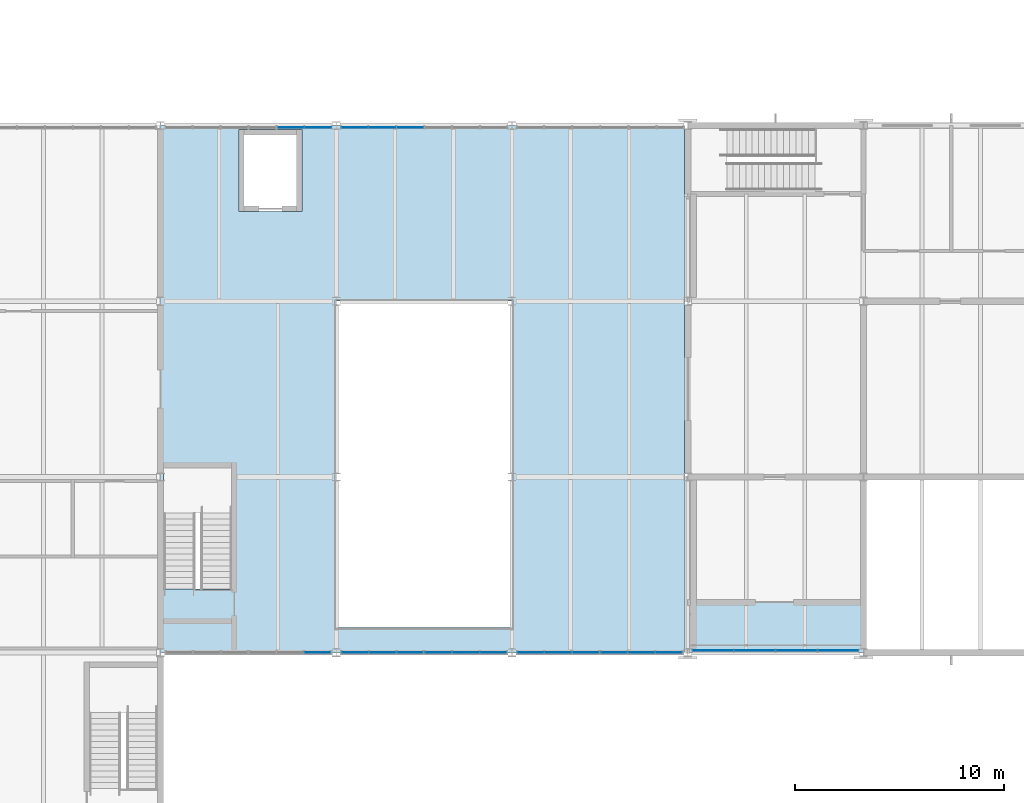
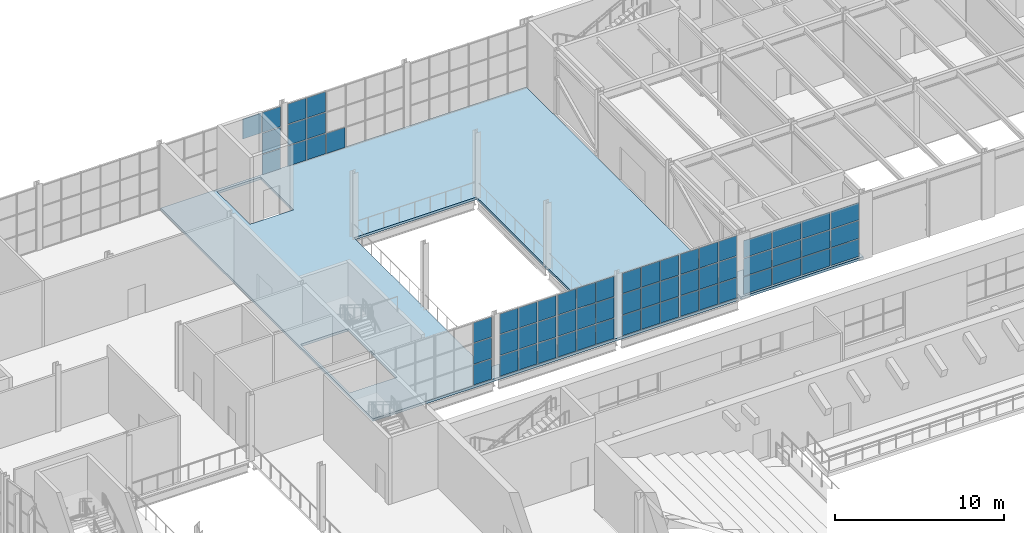
# One storey, part 62 of 127: 62 plates, 2 slabs, 8 elements without a shape of their own.
"""IFC4 building model written with IfcOpenShell, lengths in metres."""

import ifcopenshell
import ifcopenshell.guid

model = None  # the IFC model being written
_history = None  # IfcOwnerHistory: only IFC2X3 demands one
_inside = {}  # id of a spatial element -> (the spatial element, [elements in it])
_under = {}  # id of a project, library or spatial element -> (it, [spatial elements below it])
_declared = {}  # id of a project -> (the project, [libraries it declares])
_typed = {}  # id of a type object -> (the type object, [elements of that type])
_made_of = {}  # id of a material, layer set ... -> (it, [elements and type objects made of it])


def new_model(schema):
    """Start an empty IFC model of exactly this schema.

    Asked for "IFC4X3", IfcOpenShell would pick the latest addendum, in which some entities
    have other attributes; the version numbers below select the first issue.
    IFC2X3 requires an IfcOwnerHistory on every rooted entity: one is made here for all.
    """
    global model, _history
    if schema == "IFC4X3":
        model = ifcopenshell.file(schema_version=(4, 3, 0, 0))
    else:
        model = ifcopenshell.file(schema=schema)
    _inside.clear()
    _under.clear()
    _declared.clear()
    _typed.clear()
    _made_of.clear()
    _history = None
    if model.schema == "IFC2X3":
        org = make("IfcOrganization", Name="unknown")
        user = make(
            "IfcPersonAndOrganization",
            ThePerson=make("IfcPerson", FamilyName="unknown"),
            TheOrganization=org,
        )
        app = make(
            "IfcApplication",
            ApplicationDeveloper=org,
            Version="unknown",
            ApplicationFullName="unknown",
            ApplicationIdentifier="unknown",
        )
        _history = make(
            "IfcOwnerHistory",
            OwningUser=user,
            OwningApplication=app,
            ChangeAction="ADDED",
            CreationDate=0,
        )
    return model


def make(cls, **values):
    """One entity of the class cls with the attributes given. An attribute that is None is left unset."""
    return model.create_entity(
        cls, **{name: value for name, value in values.items() if value is not None}
    )


def rooted(cls, **values):
    """An entity with a GlobalId (a new one), such as an element, a storey or a relation."""
    return make(cls, GlobalId=ifcopenshell.guid.new(), OwnerHistory=_history, **values)


def si_unit(unit_type, name, prefix=None):
    """IfcSIUnit, for example si_unit("LENGTHUNIT", "METRE", prefix="MILLI")."""
    return make("IfcSIUnit", UnitType=unit_type, Prefix=prefix, Name=name)


def assignment(units):
    """IfcUnitAssignment: the units of a project."""
    return None if units is None else make("IfcUnitAssignment", Units=units)


def point(xyz):
    """IfcCartesianPoint."""
    return None if xyz is None else make("IfcCartesianPoint", Coordinates=xyz)


def direction(xyz):
    """IfcDirection."""
    return None if xyz is None else make("IfcDirection", DirectionRatios=xyz)


def frame(location, z_axis=None, x_axis=None):
    """IfcAxis2Placement3D, a coordinate frame: its origin and axes. An axis left out is left unset."""
    return make(
        "IfcAxis2Placement3D",
        Location=point(location),
        Axis=direction(z_axis),
        RefDirection=direction(x_axis),
    )


def frame_2d(location, x_axis=None):
    """IfcAxis2Placement2D, a coordinate frame in the plane: its origin and x axis."""
    return make(
        "IfcAxis2Placement2D", Location=point(location), RefDirection=direction(x_axis)
    )


def origin():
    """The frame at (0, 0, 0) with its axes left unset."""
    return frame((0.0, 0.0, 0.0))


def origin_2d():
    """The frame at (0, 0) in the plane with its x axis left unset."""
    return frame_2d((0.0, 0.0))


def place(relative_to, where):
    """IfcLocalPlacement: puts the frame where relative to a parent placement (None: the world)."""
    return make(
        "IfcLocalPlacement", PlacementRelTo=relative_to, RelativePlacement=where
    )


def context(
    kind, dimensions, precision=None, world=None, true_north=None, identifier=None
):
    """IfcGeometricRepresentationContext, for example the 3D "Model" context."""
    return make(
        "IfcGeometricRepresentationContext",
        ContextIdentifier=identifier,
        ContextType=kind,
        CoordinateSpaceDimension=dimensions,
        Precision=precision,
        WorldCoordinateSystem=world,
        TrueNorth=true_north,
    )


def subcontext(parent, identifier, kind, view, scale=None):
    """IfcGeometricRepresentationSubContext, for example "Body" below "Model"."""
    return make(
        "IfcGeometricRepresentationSubContext",
        ContextIdentifier=identifier,
        ContextType=kind,
        ParentContext=parent,
        TargetScale=scale,
        TargetView=view,
    )


def project(units=None, contexts=None):
    """IfcProject with its units and contexts."""
    return rooted(
        "IfcProject",
        Name="project",
        RepresentationContexts=contexts,
        UnitsInContext=assignment(units),
    )


def spatial(cls, under=None, at=None, **own):
    """A site, building, storey or space (cls), placed at a placement, below another one or the project."""
    s = rooted(cls, ObjectPlacement=at, **own)
    if under is not None:
        _under.setdefault(under.id(), (under, []))[1].append(s)
    return s


def polyline(points):
    """IfcPolyline through the points."""
    return make("IfcPolyline", Points=[point(p) for p in points])


def profile(cls, at=None, kind="AREA", **sizes):
    """A parametric profile (cls). Its sizes go by their IFC names, for example OverallWidth=200.0."""
    return make(cls, ProfileType=kind, Position=at, **sizes)


def rectangle(**sizes):
    """IfcRectangleProfileDef."""
    return profile("IfcRectangleProfileDef", **sizes)


def outline(outer, holes=None, kind="AREA"):
    """IfcArbitraryClosedProfileDef: a profile drawn as a closed curve; with holes, ...WithVoids."""
    if holes is None:
        return make("IfcArbitraryClosedProfileDef", ProfileType=kind, OuterCurve=outer)
    return make(
        "IfcArbitraryProfileDefWithVoids",
        ProfileType=kind,
        OuterCurve=outer,
        InnerCurves=holes,
    )


def extrude(swept, where, along, depth):
    """IfcExtrudedAreaSolid: the profile swept, set in the frame where, extruded along a direction by depth."""
    return make(
        "IfcExtrudedAreaSolid",
        SweptArea=swept,
        Position=where,
        ExtrudedDirection=direction(along),
        Depth=depth,
    )


def shape(context_of_items, identifier, shape_type, items):
    """IfcShapeRepresentation: the items that make up one representation, for example the "Body"."""
    return make(
        "IfcShapeRepresentation",
        ContextOfItems=context_of_items,
        RepresentationIdentifier=identifier,
        RepresentationType=shape_type,
        Items=items,
    )


def material(Name=None, Category=None):
    """IfcMaterial."""
    return make("IfcMaterial", Name=Name, Category=Category)


def layer(
    of_material, thickness, ventilated=None, Name=None, Category=None, Priority=None
):
    """IfcMaterialLayer: one layer of a wall or slab, of a material (None: an air gap)."""
    return make(
        "IfcMaterialLayer",
        Material=of_material,
        LayerThickness=thickness,
        IsVentilated=ventilated,
        Name=Name,
        Category=Category,
        Priority=Priority,
    )


def layer_set(layers, Name=None):
    """IfcMaterialLayerSet."""
    return make("IfcMaterialLayerSet", MaterialLayers=layers, LayerSetName=Name)


def made_of(thing, what):
    """Note that an element or type object is made of a material, layer set ...; save() writes the relation."""
    if what is not None:
        _made_of.setdefault(what.id(), (what, []))[1].append(thing)
    return thing


def type_object(cls, material=None, **own):
    """A type object (cls), such as IfcWallType, which elements share."""
    return made_of(rooted(cls, **own), material)


def element(
    cls,
    number,
    at=None,
    inside=None,
    cuts=None,
    type_object=None,
    material=None,
    context=None,
    identifier="Body",
    shape_type=None,
    held_by="IfcProductDefinitionShape",
    body=None,
    shapes=None,
    **own,
):
    """One element of the class cls, such as IfcWall. Its Tag is "e" and its number.

    at: its placement. inside: the storey or other place that contains it. cuts: it is an
    opening in that element (IfcRelVoidsElement). A single representation is given by context,
    identifier, shape_type and body (its items); several are given by shapes. held_by: the class
    of the entity that holds the representations. save() writes the other relations.
    """
    e = rooted(cls, Tag="e%d" % number, ObjectPlacement=at, **own)
    if body is not None:
        shapes = [shape(context, identifier, shape_type, body)]
    if shapes is not None:
        e.Representation = make(held_by, Representations=shapes)
    if inside is not None:
        _inside.setdefault(inside.id(), (inside, []))[1].append(e)
    if cuts is not None:
        rooted(
            "IfcRelVoidsElement", RelatingBuildingElement=cuts, RelatedOpeningElement=e
        )
    if type_object is not None:
        _typed.setdefault(type_object.id(), (type_object, []))[1].append(e)
    return made_of(e, material)


def aggregate(whole, parts):
    """IfcRelAggregates: a whole, such as a stair, and the parts it consists of."""
    return rooted("IfcRelAggregates", RelatingObject=whole, RelatedObjects=parts)


def save(model, path):
    """Write the relations noted so far, then the file.

    IfcRelAggregates (storeys below a building ...), IfcRelContainedInSpatialStructure (elements
    in a storey), IfcRelDefinesByType, IfcRelAssociatesMaterial and IfcRelDeclares: one each for
    every whole, place, type object, material and project.
    """
    for whole, parts in _under.values():
        aggregate(whole, parts)
    for where, things in _inside.values():
        rooted(
            "IfcRelContainedInSpatialStructure",
            RelatedElements=things,
            RelatingStructure=where,
        )
    for kind, things in _typed.values():
        rooted("IfcRelDefinesByType", RelatedObjects=things, RelatingType=kind)
    for what, things in _made_of.values():
        rooted("IfcRelAssociatesMaterial", RelatedObjects=things, RelatingMaterial=what)
    for by, libraries in _declared.values():
        rooted("IfcRelDeclares", RelatingContext=by, RelatedDefinitions=libraries)
    model.write(path)


model = new_model("IFC4")

# Units and contexts
model_context = context("Model", 3, precision=1e-05, world=origin(), true_north=direction((0.0, 1.0)))
body_context = subcontext(model_context, "Body", "Model", "MODEL_VIEW")
ifc_project = project(units=[si_unit("LENGTHUNIT", "METRE"), si_unit("AREAUNIT", "SQUARE_METRE"), si_unit("VOLUMEUNIT", "CUBIC_METRE"), si_unit("PLANEANGLEUNIT", "RADIAN"), si_unit("MASSUNIT", "GRAM", prefix="KILO")], contexts=[model_context])

# Site, building, storey
site_placement = place(None, origin())
site = spatial("IfcSite", under=ifc_project, at=site_placement, CompositionType="ELEMENT")
building_placement = place(site_placement, origin())
building = spatial("IfcBuilding", under=site, at=building_placement, Name="Ljudholm Concert House", CompositionType="ELEMENT")
storey_placement = place(building_placement, frame((0.0, 0.0, 5.39990234375)))
storey = spatial("IfcBuildingStorey", under=building, at=storey_placement, Name="L01", CompositionType="ELEMENT", Elevation=5.39990234375)

# Slabs
ifc_material_1 = material(Name="Concrete 5,000 psi", Category="concrete")
ifc_layer_1 = layer(ifc_material_1, 0.179931640625)
ifc_layer_set_1 = layer_set([ifc_layer_1], Name="Concrete 5,000 psi")
slab_type_1 = type_object("IfcSlabType", Name="COMPOSITE FLOOR SLAB 180", PredefinedType="FLOOR", material=ifc_layer_set_1)
slab_1_placement = place(storey_placement, frame((0.0, 0.0, -0.179931640625)))
element("IfcSlab", 1, at=slab_1_placement, inside=storey, type_object=slab_type_1, Name="Floor slab", PredefinedType="FLOOR", context=body_context, shape_type="SweptSolid", body=[
    extrude(outline(polyline([(29.199951171875, 104.800048828125), (54.25, 104.800048828125), (54.25, 130.0), (29.199951171875, 130.0), (29.199951171875, 104.800048828125)]), holes=[polyline([(46.0, 121.60009765625), (46.0, 106.0), (37.60009765625, 106.0), (37.60009765625, 121.60009765625), (46.0, 121.60009765625)]), polyline([(29.35009765625, 107.83056640625), (29.35009765625, 113.6298828125), (32.60009765625, 113.6298828125), (32.60009765625, 107.83056640625), (29.35009765625, 107.83056640625)]), polyline([(32.949951171875, 125.89990234375), (32.949951171875, 129.800048828125), (35.949951171875, 129.800048828125), (35.949951171875, 125.89990234375), (32.949951171875, 125.89990234375)])]), origin(), (0.0, 0.0, 1.0), 0.179931640625),
])
ifc_material_2 = material(Name="Concrete 5,000 psi", Category="concrete")
ifc_layer_2 = layer(ifc_material_2, 0.179931640625)
ifc_layer_set_2 = layer_set([ifc_layer_2], Name="Concrete 5,000 psi")
slab_type_2 = type_object("IfcSlabType", Name="COMPOSITE FLOOR SLAB 180 EXTERNAL", PredefinedType="FLOOR", material=ifc_layer_set_2)
slab_2_placement = place(storey_placement, frame((0.0, 0.0, -0.179931640625)))
element("IfcSlab", 2, at=slab_2_placement, inside=storey, type_object=slab_type_2, Name="Loggia floor slab", PredefinedType="FLOOR", context=body_context, shape_type="SweptSolid", body=[
    extrude(outline(polyline([(54.39990234375, 104.800048828125), (62.800048828125, 104.800048828125), (62.800048828125, 107.199951171875), (54.39990234375, 107.199951171875), (54.39990234375, 104.800048828125)])), origin(), (0.0, 0.0, 1.0), 0.179931640625),
])

# Curtain wall, plates
ifc_material_3 = material(Name="Aluminium curtain wall with impact-rated laminated glass", Category="aluminium")
curtain_wall_type_1 = type_object("IfcCurtainWallType", Name="CURTAIN WALL 1400", PredefinedType="NOTDEFINED", material=ifc_material_3)
curtain_wall_1_placement = place(storey_placement, origin())
curtain_wall_1 = element("IfcCurtainWall", 3, at=curtain_wall_1_placement, inside=storey, type_object=curtain_wall_type_1, Name="North curtain wall", PredefinedType="NOTDEFINED")
ifc_material_4 = material(Name="Impact-rated laminated glass", Category="glass")
ifc_layer_3 = layer(ifc_material_4, 0.028076171875)
ifc_layer_set_3 = layer_set([ifc_layer_3], Name="Impact-rated laminated glass")
plate_type_1 = type_object("IfcPlateType", Name="CURTAIN PANEL 28", PredefinedType="CURTAIN_PANEL", material=ifc_layer_set_3)
plate_1_placement = place(storey_placement, frame((35.405029296875, 129.89990234375, 3.1103515625), z_axis=(0.0, 0.0, 1.0), x_axis=(1.0, 0.0, 0.0)))
plate_1 = element("IfcPlate", 4, at=plate_1_placement, type_object=plate_type_1, Name="Curtain wall panel", PredefinedType="CURTAIN_PANEL", context=body_context, shape_type="SweptSolid", body=[
    extrude(rectangle(XDim=1.276611328125, YDim=0.028076171875, at=origin_2d()), origin(), (0.0, 0.0, 1.0), 1.449951171875),
])
plate_2_placement = place(storey_placement, frame((36.7265625, 129.89990234375, 0.06005859375), z_axis=(0.0, 0.0, 1.0), x_axis=(1.0, 0.0, 0.0)))
plate_2 = element("IfcPlate", 5, at=plate_2_placement, type_object=plate_type_1, Name="Curtain wall panel", PredefinedType="CURTAIN_PANEL", context=body_context, shape_type="SweptSolid", body=[
    extrude(rectangle(XDim=1.24658203125, YDim=0.028076171875, at=origin_2d()), origin(), (0.0, 0.0, 1.0), 1.449951171875),
])
plate_3_placement = place(storey_placement, frame((36.7265625, 129.89990234375, 1.570068359375), z_axis=(0.0, 0.0, 1.0), x_axis=(1.0, 0.0, 0.0)))
plate_3 = element("IfcPlate", 6, at=plate_3_placement, type_object=plate_type_1, Name="Curtain wall panel", PredefinedType="CURTAIN_PANEL", context=body_context, shape_type="SweptSolid", body=[
    extrude(rectangle(XDim=1.24658203125, YDim=0.028076171875, at=origin_2d()), origin(), (0.0, 0.0, 1.0), 1.47998046875),
])
plate_4_placement = place(storey_placement, frame((36.7265625, 129.89990234375, 3.1103515625), z_axis=(0.0, 0.0, 1.0), x_axis=(1.0, 0.0, 0.0)))
plate_4 = element("IfcPlate", 7, at=plate_4_placement, type_object=plate_type_1, Name="Curtain wall panel", PredefinedType="CURTAIN_PANEL", context=body_context, shape_type="SweptSolid", body=[
    extrude(rectangle(XDim=1.24658203125, YDim=0.028076171875, at=origin_2d()), origin(), (0.0, 0.0, 1.0), 1.449951171875),
])
aggregate(curtain_wall_1, [plate_1, plate_2, plate_3, plate_4])

curtain_wall_2_placement = place(storey_placement, origin())
curtain_wall_2 = element("IfcCurtainWall", 8, at=curtain_wall_2_placement, inside=storey, type_object=curtain_wall_type_1, Name="North curtain wall", PredefinedType="NOTDEFINED")
plate_5_placement = place(storey_placement, frame((38.473388671875, 129.89990234375, 0.06005859375), z_axis=(0.0, 0.0, 1.0), x_axis=(1.0, 0.0, 0.0)))
plate_5 = element("IfcPlate", 9, at=plate_5_placement, type_object=plate_type_1, Name="Curtain wall panel", PredefinedType="CURTAIN_PANEL", context=body_context, shape_type="SweptSolid", body=[
    extrude(rectangle(XDim=1.24658203125, YDim=0.028076171875, at=origin_2d()), origin(), (0.0, 0.0, 1.0), 1.449951171875),
])
plate_6_placement = place(storey_placement, frame((38.473388671875, 129.89990234375, 1.570068359375), z_axis=(0.0, 0.0, 1.0), x_axis=(1.0, 0.0, 0.0)))
plate_6 = element("IfcPlate", 10, at=plate_6_placement, type_object=plate_type_1, Name="Curtain wall panel", PredefinedType="CURTAIN_PANEL", context=body_context, shape_type="SweptSolid", body=[
    extrude(rectangle(XDim=1.24658203125, YDim=0.028076171875, at=origin_2d()), origin(), (0.0, 0.0, 1.0), 1.47998046875),
])
plate_7_placement = place(storey_placement, frame((38.473388671875, 129.89990234375, 3.1103515625), z_axis=(0.0, 0.0, 1.0), x_axis=(1.0, 0.0, 0.0)))
plate_7 = element("IfcPlate", 11, at=plate_7_placement, type_object=plate_type_1, Name="Curtain wall panel", PredefinedType="CURTAIN_PANEL", context=body_context, shape_type="SweptSolid", body=[
    extrude(rectangle(XDim=1.24658203125, YDim=0.028076171875, at=origin_2d()), origin(), (0.0, 0.0, 1.0), 1.449951171875),
])
plate_8_placement = place(storey_placement, frame((39.794921875, 129.89990234375, 0.06005859375), z_axis=(0.0, 0.0, 1.0), x_axis=(1.0, 0.0, 0.0)))
plate_8 = element("IfcPlate", 12, at=plate_8_placement, type_object=plate_type_1, Name="Curtain wall panel", PredefinedType="CURTAIN_PANEL", context=body_context, shape_type="SweptSolid", body=[
    extrude(rectangle(XDim=1.276611328125, YDim=0.028076171875, at=origin_2d()), origin(), (0.0, 0.0, 1.0), 1.449951171875),
])
plate_9_placement = place(storey_placement, frame((39.794921875, 129.89990234375, 1.570068359375), z_axis=(0.0, 0.0, 1.0), x_axis=(1.0, 0.0, 0.0)))
plate_9 = element("IfcPlate", 13, at=plate_9_placement, type_object=plate_type_1, Name="Curtain wall panel", PredefinedType="CURTAIN_PANEL", context=body_context, shape_type="SweptSolid", body=[
    extrude(rectangle(XDim=1.276611328125, YDim=0.028076171875, at=origin_2d()), origin(), (0.0, 0.0, 1.0), 1.47998046875),
])
plate_10_placement = place(storey_placement, frame((39.794921875, 129.89990234375, 3.1103515625), z_axis=(0.0, 0.0, 1.0), x_axis=(1.0, 0.0, 0.0)))
plate_10 = element("IfcPlate", 14, at=plate_10_placement, type_object=plate_type_1, Name="Curtain wall panel", PredefinedType="CURTAIN_PANEL", context=body_context, shape_type="SweptSolid", body=[
    extrude(rectangle(XDim=1.276611328125, YDim=0.028076171875, at=origin_2d()), origin(), (0.0, 0.0, 1.0), 1.449951171875),
])
plate_11_placement = place(storey_placement, frame((41.131591796875, 129.89990234375, 0.06005859375), z_axis=(0.0, 0.0, 1.0), x_axis=(1.0, 0.0, 0.0)))
plate_11 = element("IfcPlate", 15, at=plate_11_placement, type_object=plate_type_1, Name="Curtain wall panel", PredefinedType="CURTAIN_PANEL", context=body_context, shape_type="SweptSolid", body=[
    extrude(rectangle(XDim=1.276611328125, YDim=0.028076171875, at=origin_2d()), origin(), (0.0, 0.0, 1.0), 1.449951171875),
])
aggregate(curtain_wall_2, [plate_5, plate_6, plate_7, plate_8, plate_9, plate_10, plate_11])

curtain_wall_3_placement = place(storey_placement, origin())
curtain_wall_3 = element("IfcCurtainWall", 16, at=curtain_wall_3_placement, inside=storey, type_object=curtain_wall_type_1, Name="Winter garden curtain wall", PredefinedType="NOTDEFINED")
plate_12_placement = place(storey_placement, frame((36.70166015625, 104.800048828125, 0.06005859375), z_axis=(0.0, 0.0, 1.0), x_axis=(1.0, 0.0, 0.0)))
plate_12 = element("IfcPlate", 17, at=plate_12_placement, type_object=plate_type_1, Name="Curtain wall panel", PredefinedType="CURTAIN_PANEL", context=body_context, shape_type="SweptSolid", body=[
    extrude(rectangle(XDim=1.236572265625, YDim=0.028076171875, at=origin_2d()), origin(), (0.0, 0.0, 1.0), 1.449951171875),
])
plate_13_placement = place(storey_placement, frame((36.70166015625, 104.800048828125, 1.570068359375), z_axis=(0.0, 0.0, 1.0), x_axis=(1.0, 0.0, 0.0)))
plate_13 = element("IfcPlate", 18, at=plate_13_placement, type_object=plate_type_1, Name="Curtain wall panel", PredefinedType="CURTAIN_PANEL", context=body_context, shape_type="SweptSolid", body=[
    extrude(rectangle(XDim=1.236572265625, YDim=0.028076171875, at=origin_2d()), origin(), (0.0, 0.0, 1.0), 1.47998046875),
])
plate_14_placement = place(storey_placement, frame((36.70166015625, 104.800048828125, 3.1103515625), z_axis=(0.0, 0.0, 1.0), x_axis=(1.0, 0.0, 0.0)))
plate_14 = element("IfcPlate", 19, at=plate_14_placement, type_object=plate_type_1, Name="Curtain wall panel", PredefinedType="CURTAIN_PANEL", context=body_context, shape_type="SweptSolid", body=[
    extrude(rectangle(XDim=1.236572265625, YDim=0.028076171875, at=origin_2d()), origin(), (0.0, 0.0, 1.0), 1.449951171875),
])
aggregate(curtain_wall_3, [plate_12, plate_13, plate_14])

curtain_wall_4_placement = place(storey_placement, origin())
curtain_wall_4 = element("IfcCurtainWall", 20, at=curtain_wall_4_placement, inside=storey, type_object=curtain_wall_type_1, Name="Winter garden curtain wall", PredefinedType="NOTDEFINED")
plate_15_placement = place(storey_placement, frame((38.498291015625, 104.800048828125, 0.06005859375), z_axis=(0.0, 0.0, 1.0), x_axis=(1.0, 0.0, 0.0)))
plate_15 = element("IfcPlate", 21, at=plate_15_placement, type_object=plate_type_1, Name="Curtain wall panel", PredefinedType="CURTAIN_PANEL", context=body_context, shape_type="SweptSolid", body=[
    extrude(rectangle(XDim=1.236572265625, YDim=0.028076171875, at=origin_2d()), origin(), (0.0, 0.0, 1.0), 1.449951171875),
])
plate_16_placement = place(storey_placement, frame((38.498291015625, 104.800048828125, 1.570068359375), z_axis=(0.0, 0.0, 1.0), x_axis=(1.0, 0.0, 0.0)))
plate_16 = element("IfcPlate", 22, at=plate_16_placement, type_object=plate_type_1, Name="Curtain wall panel", PredefinedType="CURTAIN_PANEL", context=body_context, shape_type="SweptSolid", body=[
    extrude(rectangle(XDim=1.236572265625, YDim=0.028076171875, at=origin_2d()), origin(), (0.0, 0.0, 1.0), 1.47998046875),
])
plate_17_placement = place(storey_placement, frame((38.498291015625, 104.800048828125, 3.1103515625), z_axis=(0.0, 0.0, 1.0), x_axis=(1.0, 0.0, 0.0)))
plate_17 = element("IfcPlate", 23, at=plate_17_placement, type_object=plate_type_1, Name="Curtain wall panel", PredefinedType="CURTAIN_PANEL", context=body_context, shape_type="SweptSolid", body=[
    extrude(rectangle(XDim=1.236572265625, YDim=0.028076171875, at=origin_2d()), origin(), (0.0, 0.0, 1.0), 1.449951171875),
])
plate_18_placement = place(storey_placement, frame((39.81005859375, 104.800048828125, 0.06005859375), z_axis=(0.0, 0.0, 1.0), x_axis=(1.0, 0.0, 0.0)))
plate_18 = element("IfcPlate", 24, at=plate_18_placement, type_object=plate_type_1, Name="Curtain wall panel", PredefinedType="CURTAIN_PANEL", context=body_context, shape_type="SweptSolid", body=[
    extrude(rectangle(XDim=1.2666015625, YDim=0.028076171875, at=origin_2d()), origin(), (0.0, 0.0, 1.0), 1.449951171875),
])
plate_19_placement = place(storey_placement, frame((39.81005859375, 104.800048828125, 1.570068359375), z_axis=(0.0, 0.0, 1.0), x_axis=(1.0, 0.0, 0.0)))
plate_19 = element("IfcPlate", 25, at=plate_19_placement, type_object=plate_type_1, Name="Curtain wall panel", PredefinedType="CURTAIN_PANEL", context=body_context, shape_type="SweptSolid", body=[
    extrude(rectangle(XDim=1.2666015625, YDim=0.028076171875, at=origin_2d()), origin(), (0.0, 0.0, 1.0), 1.47998046875),
])
plate_20_placement = place(storey_placement, frame((39.81005859375, 104.800048828125, 3.1103515625), z_axis=(0.0, 0.0, 1.0), x_axis=(1.0, 0.0, 0.0)))
plate_20 = element("IfcPlate", 26, at=plate_20_placement, type_object=plate_type_1, Name="Curtain wall panel", PredefinedType="CURTAIN_PANEL", context=body_context, shape_type="SweptSolid", body=[
    extrude(rectangle(XDim=1.2666015625, YDim=0.028076171875, at=origin_2d()), origin(), (0.0, 0.0, 1.0), 1.449951171875),
])
plate_21_placement = place(storey_placement, frame((41.12158203125, 104.800048828125, 0.06005859375), z_axis=(0.0, 0.0, 1.0), x_axis=(1.0, 0.0, 0.0)))
plate_21 = element("IfcPlate", 27, at=plate_21_placement, type_object=plate_type_1, Name="Curtain wall panel", PredefinedType="CURTAIN_PANEL", context=body_context, shape_type="SweptSolid", body=[
    extrude(rectangle(XDim=1.236572265625, YDim=0.028076171875, at=origin_2d()), origin(), (0.0, 0.0, 1.0), 1.449951171875),
])
plate_22_placement = place(storey_placement, frame((41.12158203125, 104.800048828125, 1.570068359375), z_axis=(0.0, 0.0, 1.0), x_axis=(1.0, 0.0, 0.0)))
plate_22 = element("IfcPlate", 28, at=plate_22_placement, type_object=plate_type_1, Name="Curtain wall panel", PredefinedType="CURTAIN_PANEL", context=body_context, shape_type="SweptSolid", body=[
    extrude(rectangle(XDim=1.236572265625, YDim=0.028076171875, at=origin_2d()), origin(), (0.0, 0.0, 1.0), 1.47998046875),
])
plate_23_placement = place(storey_placement, frame((41.12158203125, 104.800048828125, 3.1103515625), z_axis=(0.0, 0.0, 1.0), x_axis=(1.0, 0.0, 0.0)))
plate_23 = element("IfcPlate", 29, at=plate_23_placement, type_object=plate_type_1, Name="Curtain wall panel", PredefinedType="CURTAIN_PANEL", context=body_context, shape_type="SweptSolid", body=[
    extrude(rectangle(XDim=1.236572265625, YDim=0.028076171875, at=origin_2d()), origin(), (0.0, 0.0, 1.0), 1.449951171875),
])
aggregate(curtain_wall_4, [plate_15, plate_16, plate_17, plate_18, plate_19, plate_20, plate_21, plate_22, plate_23])

curtain_wall_5_placement = place(storey_placement, origin())
curtain_wall_5 = element("IfcCurtainWall", 30, at=curtain_wall_5_placement, inside=storey, type_object=curtain_wall_type_1, Name="Winter garden curtain wall", PredefinedType="NOTDEFINED")
plate_24_placement = place(storey_placement, frame((42.478271484375, 104.800048828125, 0.06005859375), z_axis=(0.0, 0.0, 1.0), x_axis=(1.0, 0.0, 0.0)))
plate_24 = element("IfcPlate", 31, at=plate_24_placement, type_object=plate_type_1, Name="Curtain wall panel", PredefinedType="CURTAIN_PANEL", context=body_context, shape_type="SweptSolid", body=[
    extrude(rectangle(XDim=1.236572265625, YDim=0.028076171875, at=origin_2d()), origin(), (0.0, 0.0, 1.0), 1.449951171875),
])
plate_25_placement = place(storey_placement, frame((42.478271484375, 104.800048828125, 1.570068359375), z_axis=(0.0, 0.0, 1.0), x_axis=(1.0, 0.0, 0.0)))
plate_25 = element("IfcPlate", 32, at=plate_25_placement, type_object=plate_type_1, Name="Curtain wall panel", PredefinedType="CURTAIN_PANEL", context=body_context, shape_type="SweptSolid", body=[
    extrude(rectangle(XDim=1.236572265625, YDim=0.028076171875, at=origin_2d()), origin(), (0.0, 0.0, 1.0), 1.47998046875),
])
plate_26_placement = place(storey_placement, frame((42.478271484375, 104.800048828125, 3.1103515625), z_axis=(0.0, 0.0, 1.0), x_axis=(1.0, 0.0, 0.0)))
plate_26 = element("IfcPlate", 33, at=plate_26_placement, type_object=plate_type_1, Name="Curtain wall panel", PredefinedType="CURTAIN_PANEL", context=body_context, shape_type="SweptSolid", body=[
    extrude(rectangle(XDim=1.236572265625, YDim=0.028076171875, at=origin_2d()), origin(), (0.0, 0.0, 1.0), 1.449951171875),
])
plate_27_placement = place(storey_placement, frame((43.7900390625, 104.800048828125, 0.06005859375), z_axis=(0.0, 0.0, 1.0), x_axis=(1.0, 0.0, 0.0)))
plate_27 = element("IfcPlate", 34, at=plate_27_placement, type_object=plate_type_1, Name="Curtain wall panel", PredefinedType="CURTAIN_PANEL", context=body_context, shape_type="SweptSolid", body=[
    extrude(rectangle(XDim=1.2666015625, YDim=0.028076171875, at=origin_2d()), origin(), (0.0, 0.0, 1.0), 1.449951171875),
])
plate_28_placement = place(storey_placement, frame((43.7900390625, 104.800048828125, 1.570068359375), z_axis=(0.0, 0.0, 1.0), x_axis=(1.0, 0.0, 0.0)))
plate_28 = element("IfcPlate", 35, at=plate_28_placement, type_object=plate_type_1, Name="Curtain wall panel", PredefinedType="CURTAIN_PANEL", context=body_context, shape_type="SweptSolid", body=[
    extrude(rectangle(XDim=1.2666015625, YDim=0.028076171875, at=origin_2d()), origin(), (0.0, 0.0, 1.0), 1.47998046875),
])
plate_29_placement = place(storey_placement, frame((43.7900390625, 104.800048828125, 3.1103515625), z_axis=(0.0, 0.0, 1.0), x_axis=(1.0, 0.0, 0.0)))
plate_29 = element("IfcPlate", 36, at=plate_29_placement, type_object=plate_type_1, Name="Curtain wall panel", PredefinedType="CURTAIN_PANEL", context=body_context, shape_type="SweptSolid", body=[
    extrude(rectangle(XDim=1.2666015625, YDim=0.028076171875, at=origin_2d()), origin(), (0.0, 0.0, 1.0), 1.449951171875),
])
plate_30_placement = place(storey_placement, frame((45.1015625, 104.800048828125, 0.06005859375), z_axis=(0.0, 0.0, 1.0), x_axis=(1.0, 0.0, 0.0)))
plate_30 = element("IfcPlate", 37, at=plate_30_placement, type_object=plate_type_1, Name="Curtain wall panel", PredefinedType="CURTAIN_PANEL", context=body_context, shape_type="SweptSolid", body=[
    extrude(rectangle(XDim=1.236572265625, YDim=0.028076171875, at=origin_2d()), origin(), (0.0, 0.0, 1.0), 1.449951171875),
])
plate_31_placement = place(storey_placement, frame((45.1015625, 104.800048828125, 1.570068359375), z_axis=(0.0, 0.0, 1.0), x_axis=(1.0, 0.0, 0.0)))
plate_31 = element("IfcPlate", 38, at=plate_31_placement, type_object=plate_type_1, Name="Curtain wall panel", PredefinedType="CURTAIN_PANEL", context=body_context, shape_type="SweptSolid", body=[
    extrude(rectangle(XDim=1.236572265625, YDim=0.028076171875, at=origin_2d()), origin(), (0.0, 0.0, 1.0), 1.47998046875),
])
plate_32_placement = place(storey_placement, frame((45.1015625, 104.800048828125, 3.1103515625), z_axis=(0.0, 0.0, 1.0), x_axis=(1.0, 0.0, 0.0)))
plate_32 = element("IfcPlate", 39, at=plate_32_placement, type_object=plate_type_1, Name="Curtain wall panel", PredefinedType="CURTAIN_PANEL", context=body_context, shape_type="SweptSolid", body=[
    extrude(rectangle(XDim=1.236572265625, YDim=0.028076171875, at=origin_2d()), origin(), (0.0, 0.0, 1.0), 1.449951171875),
])
aggregate(curtain_wall_5, [plate_24, plate_25, plate_26, plate_27, plate_28, plate_29, plate_30, plate_31, plate_32])

curtain_wall_6_placement = place(storey_placement, origin())
curtain_wall_6 = element("IfcCurtainWall", 40, at=curtain_wall_6_placement, inside=storey, type_object=curtain_wall_type_1, Name="Winter garden curtain wall", PredefinedType="NOTDEFINED")
plate_33_placement = place(storey_placement, frame((46.8984375, 104.800048828125, 0.06005859375), z_axis=(0.0, 0.0, 1.0), x_axis=(1.0, 0.0, 0.0)))
plate_33 = element("IfcPlate", 41, at=plate_33_placement, type_object=plate_type_1, Name="Curtain wall panel", PredefinedType="CURTAIN_PANEL", context=body_context, shape_type="SweptSolid", body=[
    extrude(rectangle(XDim=1.236572265625, YDim=0.028076171875, at=origin_2d()), origin(), (0.0, 0.0, 1.0), 1.449951171875),
])
plate_34_placement = place(storey_placement, frame((46.8984375, 104.800048828125, 1.570068359375), z_axis=(0.0, 0.0, 1.0), x_axis=(1.0, 0.0, 0.0)))
plate_34 = element("IfcPlate", 42, at=plate_34_placement, type_object=plate_type_1, Name="Curtain wall panel", PredefinedType="CURTAIN_PANEL", context=body_context, shape_type="SweptSolid", body=[
    extrude(rectangle(XDim=1.236572265625, YDim=0.028076171875, at=origin_2d()), origin(), (0.0, 0.0, 1.0), 1.47998046875),
])
plate_35_placement = place(storey_placement, frame((46.8984375, 104.800048828125, 3.1103515625), z_axis=(0.0, 0.0, 1.0), x_axis=(1.0, 0.0, 0.0)))
plate_35 = element("IfcPlate", 43, at=plate_35_placement, type_object=plate_type_1, Name="Curtain wall panel", PredefinedType="CURTAIN_PANEL", context=body_context, shape_type="SweptSolid", body=[
    extrude(rectangle(XDim=1.236572265625, YDim=0.028076171875, at=origin_2d()), origin(), (0.0, 0.0, 1.0), 1.449951171875),
])
plate_36_placement = place(storey_placement, frame((48.2099609375, 104.800048828125, 0.06005859375), z_axis=(0.0, 0.0, 1.0), x_axis=(1.0, 0.0, 0.0)))
plate_36 = element("IfcPlate", 44, at=plate_36_placement, type_object=plate_type_1, Name="Curtain wall panel", PredefinedType="CURTAIN_PANEL", context=body_context, shape_type="SweptSolid", body=[
    extrude(rectangle(XDim=1.2666015625, YDim=0.028076171875, at=origin_2d()), origin(), (0.0, 0.0, 1.0), 1.449951171875),
])
plate_37_placement = place(storey_placement, frame((48.2099609375, 104.800048828125, 1.570068359375), z_axis=(0.0, 0.0, 1.0), x_axis=(1.0, 0.0, 0.0)))
plate_37 = element("IfcPlate", 45, at=plate_37_placement, type_object=plate_type_1, Name="Curtain wall panel", PredefinedType="CURTAIN_PANEL", context=body_context, shape_type="SweptSolid", body=[
    extrude(rectangle(XDim=1.2666015625, YDim=0.028076171875, at=origin_2d()), origin(), (0.0, 0.0, 1.0), 1.47998046875),
])
plate_38_placement = place(storey_placement, frame((48.2099609375, 104.800048828125, 3.1103515625), z_axis=(0.0, 0.0, 1.0), x_axis=(1.0, 0.0, 0.0)))
plate_38 = element("IfcPlate", 46, at=plate_38_placement, type_object=plate_type_1, Name="Curtain wall panel", PredefinedType="CURTAIN_PANEL", context=body_context, shape_type="SweptSolid", body=[
    extrude(rectangle(XDim=1.2666015625, YDim=0.028076171875, at=origin_2d()), origin(), (0.0, 0.0, 1.0), 1.449951171875),
])
plate_39_placement = place(storey_placement, frame((49.521728515625, 104.800048828125, 0.06005859375), z_axis=(0.0, 0.0, 1.0), x_axis=(1.0, 0.0, 0.0)))
plate_39 = element("IfcPlate", 47, at=plate_39_placement, type_object=plate_type_1, Name="Curtain wall panel", PredefinedType="CURTAIN_PANEL", context=body_context, shape_type="SweptSolid", body=[
    extrude(rectangle(XDim=1.236572265625, YDim=0.028076171875, at=origin_2d()), origin(), (0.0, 0.0, 1.0), 1.449951171875),
])
plate_40_placement = place(storey_placement, frame((49.521728515625, 104.800048828125, 1.570068359375), z_axis=(0.0, 0.0, 1.0), x_axis=(1.0, 0.0, 0.0)))
plate_40 = element("IfcPlate", 48, at=plate_40_placement, type_object=plate_type_1, Name="Curtain wall panel", PredefinedType="CURTAIN_PANEL", context=body_context, shape_type="SweptSolid", body=[
    extrude(rectangle(XDim=1.236572265625, YDim=0.028076171875, at=origin_2d()), origin(), (0.0, 0.0, 1.0), 1.47998046875),
])
plate_41_placement = place(storey_placement, frame((49.521728515625, 104.800048828125, 3.1103515625), z_axis=(0.0, 0.0, 1.0), x_axis=(1.0, 0.0, 0.0)))
plate_41 = element("IfcPlate", 49, at=plate_41_placement, type_object=plate_type_1, Name="Curtain wall panel", PredefinedType="CURTAIN_PANEL", context=body_context, shape_type="SweptSolid", body=[
    extrude(rectangle(XDim=1.236572265625, YDim=0.028076171875, at=origin_2d()), origin(), (0.0, 0.0, 1.0), 1.449951171875),
])
aggregate(curtain_wall_6, [plate_33, plate_34, plate_35, plate_36, plate_37, plate_38, plate_39, plate_40, plate_41])

curtain_wall_7_placement = place(storey_placement, origin())
curtain_wall_7 = element("IfcCurtainWall", 50, at=curtain_wall_7_placement, inside=storey, type_object=curtain_wall_type_1, Name="Winter garden curtain wall", PredefinedType="NOTDEFINED")
plate_42_placement = place(storey_placement, frame((50.87841796875, 104.800048828125, 0.06005859375), z_axis=(0.0, 0.0, 1.0), x_axis=(1.0, 0.0, 0.0)))
plate_42 = element("IfcPlate", 51, at=plate_42_placement, type_object=plate_type_1, Name="Curtain wall panel", PredefinedType="CURTAIN_PANEL", context=body_context, shape_type="SweptSolid", body=[
    extrude(rectangle(XDim=1.236572265625, YDim=0.028076171875, at=origin_2d()), origin(), (0.0, 0.0, 1.0), 1.449951171875),
])
plate_43_placement = place(storey_placement, frame((50.87841796875, 104.800048828125, 1.570068359375), z_axis=(0.0, 0.0, 1.0), x_axis=(1.0, 0.0, 0.0)))
plate_43 = element("IfcPlate", 52, at=plate_43_placement, type_object=plate_type_1, Name="Curtain wall panel", PredefinedType="CURTAIN_PANEL", context=body_context, shape_type="SweptSolid", body=[
    extrude(rectangle(XDim=1.236572265625, YDim=0.028076171875, at=origin_2d()), origin(), (0.0, 0.0, 1.0), 1.47998046875),
])
plate_44_placement = place(storey_placement, frame((50.87841796875, 104.800048828125, 3.1103515625), z_axis=(0.0, 0.0, 1.0), x_axis=(1.0, 0.0, 0.0)))
plate_44 = element("IfcPlate", 53, at=plate_44_placement, type_object=plate_type_1, Name="Curtain wall panel", PredefinedType="CURTAIN_PANEL", context=body_context, shape_type="SweptSolid", body=[
    extrude(rectangle(XDim=1.236572265625, YDim=0.028076171875, at=origin_2d()), origin(), (0.0, 0.0, 1.0), 1.449951171875),
])
plate_45_placement = place(storey_placement, frame((52.18994140625, 104.800048828125, 0.06005859375), z_axis=(0.0, 0.0, 1.0), x_axis=(1.0, 0.0, 0.0)))
plate_45 = element("IfcPlate", 54, at=plate_45_placement, type_object=plate_type_1, Name="Curtain wall panel", PredefinedType="CURTAIN_PANEL", context=body_context, shape_type="SweptSolid", body=[
    extrude(rectangle(XDim=1.2666015625, YDim=0.028076171875, at=origin_2d()), origin(), (0.0, 0.0, 1.0), 1.449951171875),
])
plate_46_placement = place(storey_placement, frame((52.18994140625, 104.800048828125, 1.570068359375), z_axis=(0.0, 0.0, 1.0), x_axis=(1.0, 0.0, 0.0)))
plate_46 = element("IfcPlate", 55, at=plate_46_placement, type_object=plate_type_1, Name="Curtain wall panel", PredefinedType="CURTAIN_PANEL", context=body_context, shape_type="SweptSolid", body=[
    extrude(rectangle(XDim=1.2666015625, YDim=0.028076171875, at=origin_2d()), origin(), (0.0, 0.0, 1.0), 1.47998046875),
])
plate_47_placement = place(storey_placement, frame((52.18994140625, 104.800048828125, 3.1103515625), z_axis=(0.0, 0.0, 1.0), x_axis=(1.0, 0.0, 0.0)))
plate_47 = element("IfcPlate", 56, at=plate_47_placement, type_object=plate_type_1, Name="Curtain wall panel", PredefinedType="CURTAIN_PANEL", context=body_context, shape_type="SweptSolid", body=[
    extrude(rectangle(XDim=1.2666015625, YDim=0.028076171875, at=origin_2d()), origin(), (0.0, 0.0, 1.0), 1.449951171875),
])
plate_48_placement = place(storey_placement, frame((53.501708984375, 104.800048828125, 0.06005859375), z_axis=(0.0, 0.0, 1.0), x_axis=(1.0, 0.0, 0.0)))
plate_48 = element("IfcPlate", 57, at=plate_48_placement, type_object=plate_type_1, Name="Curtain wall panel", PredefinedType="CURTAIN_PANEL", context=body_context, shape_type="SweptSolid", body=[
    extrude(rectangle(XDim=1.236572265625, YDim=0.028076171875, at=origin_2d()), origin(), (0.0, 0.0, 1.0), 1.449951171875),
])
plate_49_placement = place(storey_placement, frame((53.501708984375, 104.800048828125, 1.570068359375), z_axis=(0.0, 0.0, 1.0), x_axis=(1.0, 0.0, 0.0)))
plate_49 = element("IfcPlate", 58, at=plate_49_placement, type_object=plate_type_1, Name="Curtain wall panel", PredefinedType="CURTAIN_PANEL", context=body_context, shape_type="SweptSolid", body=[
    extrude(rectangle(XDim=1.236572265625, YDim=0.028076171875, at=origin_2d()), origin(), (0.0, 0.0, 1.0), 1.47998046875),
])
plate_50_placement = place(storey_placement, frame((53.501708984375, 104.800048828125, 3.1103515625), z_axis=(0.0, 0.0, 1.0), x_axis=(1.0, 0.0, 0.0)))
plate_50 = element("IfcPlate", 59, at=plate_50_placement, type_object=plate_type_1, Name="Curtain wall panel", PredefinedType="CURTAIN_PANEL", context=body_context, shape_type="SweptSolid", body=[
    extrude(rectangle(XDim=1.236572265625, YDim=0.028076171875, at=origin_2d()), origin(), (0.0, 0.0, 1.0), 1.449951171875),
])
aggregate(curtain_wall_7, [plate_42, plate_43, plate_44, plate_45, plate_46, plate_47, plate_48, plate_49, plate_50])

ifc_material_5 = material(Name="Aluminium curtain wall with fixed aluminium storm louvre blades, timber-grain finish", Category="aluminium")
curtain_wall_type_2 = type_object("IfcCurtainWallType", Name="CURTAIN WALL 2000", PredefinedType="NOTDEFINED", material=ifc_material_5)
curtain_wall_8_placement = place(storey_placement, origin())
curtain_wall_8 = element("IfcCurtainWall", 60, at=curtain_wall_8_placement, inside=storey, type_object=curtain_wall_type_2, Name="Storm louvre screen", PredefinedType="NOTDEFINED")
ifc_material_6 = material(Name="Fixed aluminium storm louvre blades, timber-grain finish", Category="aluminium")
ifc_layer_4 = layer(ifc_material_6, 0.030029296875)
ifc_layer_set_4 = layer_set([ifc_layer_4], Name="Fixed aluminium storm louvre blades, timber-grain finish")
plate_type_2 = type_object("IfcPlateType", Name="CURTAIN PANEL 30", PredefinedType="CURTAIN_PANEL", material=ifc_layer_set_4)
plate_51_placement = place(storey_placement, frame((55.607421875, 104.89990234375, 0.06005859375), z_axis=(0.0, 0.0, 1.0), x_axis=(1.0, 0.0, 0.0)))
plate_51 = element("IfcPlate", 61, at=plate_51_placement, type_object=plate_type_2, Name="Curtain wall panel", PredefinedType="CURTAIN_PANEL", context=body_context, shape_type="SweptSolid", body=[
    extrude(rectangle(XDim=1.9150390625, YDim=0.030029296875, at=origin_2d()), origin(), (0.0, 0.0, 1.0), 1.245849609375),
])
plate_52_placement = place(storey_placement, frame((55.607421875, 104.89990234375, 1.365966796875), z_axis=(0.0, 0.0, 1.0), x_axis=(1.0, 0.0, 0.0)))
plate_52 = element("IfcPlate", 62, at=plate_52_placement, type_object=plate_type_2, Name="Curtain wall panel", PredefinedType="CURTAIN_PANEL", context=body_context, shape_type="SweptSolid", body=[
    extrude(rectangle(XDim=1.9150390625, YDim=0.030029296875, at=origin_2d()), origin(), (0.0, 0.0, 1.0), 1.27587890625),
])
plate_53_placement = place(storey_placement, frame((55.607421875, 104.89990234375, 2.7021484375), z_axis=(0.0, 0.0, 1.0), x_axis=(1.0, 0.0, 0.0)))
plate_53 = element("IfcPlate", 63, at=plate_53_placement, type_object=plate_type_2, Name="Curtain wall panel", PredefinedType="CURTAIN_PANEL", context=body_context, shape_type="SweptSolid", body=[
    extrude(rectangle(XDim=1.9150390625, YDim=0.030029296875, at=origin_2d()), origin(), (0.0, 0.0, 1.0), 1.245849609375),
])
plate_54_placement = place(storey_placement, frame((57.597412109375, 104.89990234375, 0.06005859375), z_axis=(0.0, 0.0, 1.0), x_axis=(1.0, 0.0, 0.0)))
plate_54 = element("IfcPlate", 64, at=plate_54_placement, type_object=plate_type_2, Name="Curtain wall panel", PredefinedType="CURTAIN_PANEL", context=body_context, shape_type="SweptSolid", body=[
    extrude(rectangle(XDim=1.945068359375, YDim=0.030029296875, at=origin_2d()), origin(), (0.0, 0.0, 1.0), 1.245849609375),
])
plate_55_placement = place(storey_placement, frame((57.597412109375, 104.89990234375, 1.365966796875), z_axis=(0.0, 0.0, 1.0), x_axis=(1.0, 0.0, 0.0)))
plate_55 = element("IfcPlate", 65, at=plate_55_placement, type_object=plate_type_2, Name="Curtain wall panel", PredefinedType="CURTAIN_PANEL", context=body_context, shape_type="SweptSolid", body=[
    extrude(rectangle(XDim=1.945068359375, YDim=0.030029296875, at=origin_2d()), origin(), (0.0, 0.0, 1.0), 1.27587890625),
])
plate_56_placement = place(storey_placement, frame((57.597412109375, 104.89990234375, 2.7021484375), z_axis=(0.0, 0.0, 1.0), x_axis=(1.0, 0.0, 0.0)))
plate_56 = element("IfcPlate", 66, at=plate_56_placement, type_object=plate_type_2, Name="Curtain wall panel", PredefinedType="CURTAIN_PANEL", context=body_context, shape_type="SweptSolid", body=[
    extrude(rectangle(XDim=1.945068359375, YDim=0.030029296875, at=origin_2d()), origin(), (0.0, 0.0, 1.0), 1.245849609375),
])
plate_57_placement = place(storey_placement, frame((59.6025390625, 104.89990234375, 0.06005859375), z_axis=(0.0, 0.0, 1.0), x_axis=(1.0, 0.0, 0.0)))
plate_57 = element("IfcPlate", 67, at=plate_57_placement, type_object=plate_type_2, Name="Curtain wall panel", PredefinedType="CURTAIN_PANEL", context=body_context, shape_type="SweptSolid", body=[
    extrude(rectangle(XDim=1.945068359375, YDim=0.030029296875, at=origin_2d()), origin(), (0.0, 0.0, 1.0), 1.245849609375),
])
plate_58_placement = place(storey_placement, frame((59.6025390625, 104.89990234375, 1.365966796875), z_axis=(0.0, 0.0, 1.0), x_axis=(1.0, 0.0, 0.0)))
plate_58 = element("IfcPlate", 68, at=plate_58_placement, type_object=plate_type_2, Name="Curtain wall panel", PredefinedType="CURTAIN_PANEL", context=body_context, shape_type="SweptSolid", body=[
    extrude(rectangle(XDim=1.945068359375, YDim=0.030029296875, at=origin_2d()), origin(), (0.0, 0.0, 1.0), 1.27587890625),
])
plate_59_placement = place(storey_placement, frame((59.6025390625, 104.89990234375, 2.7021484375), z_axis=(0.0, 0.0, 1.0), x_axis=(1.0, 0.0, 0.0)))
plate_59 = element("IfcPlate", 69, at=plate_59_placement, type_object=plate_type_2, Name="Curtain wall panel", PredefinedType="CURTAIN_PANEL", context=body_context, shape_type="SweptSolid", body=[
    extrude(rectangle(XDim=1.945068359375, YDim=0.030029296875, at=origin_2d()), origin(), (0.0, 0.0, 1.0), 1.245849609375),
])
plate_60_placement = place(storey_placement, frame((61.592529296875, 104.89990234375, 0.06005859375), z_axis=(0.0, 0.0, 1.0), x_axis=(1.0, 0.0, 0.0)))
plate_60 = element("IfcPlate", 70, at=plate_60_placement, type_object=plate_type_2, Name="Curtain wall panel", PredefinedType="CURTAIN_PANEL", context=body_context, shape_type="SweptSolid", body=[
    extrude(rectangle(XDim=1.9150390625, YDim=0.030029296875, at=origin_2d()), origin(), (0.0, 0.0, 1.0), 1.245849609375),
])
plate_61_placement = place(storey_placement, frame((61.592529296875, 104.89990234375, 1.365966796875), z_axis=(0.0, 0.0, 1.0), x_axis=(1.0, 0.0, 0.0)))
plate_61 = element("IfcPlate", 71, at=plate_61_placement, type_object=plate_type_2, Name="Curtain wall panel", PredefinedType="CURTAIN_PANEL", context=body_context, shape_type="SweptSolid", body=[
    extrude(rectangle(XDim=1.9150390625, YDim=0.030029296875, at=origin_2d()), origin(), (0.0, 0.0, 1.0), 1.27587890625),
])
plate_62_placement = place(storey_placement, frame((61.592529296875, 104.89990234375, 2.7021484375), z_axis=(0.0, 0.0, 1.0), x_axis=(1.0, 0.0, 0.0)))
plate_62 = element("IfcPlate", 72, at=plate_62_placement, type_object=plate_type_2, Name="Curtain wall panel", PredefinedType="CURTAIN_PANEL", context=body_context, shape_type="SweptSolid", body=[
    extrude(rectangle(XDim=1.9150390625, YDim=0.030029296875, at=origin_2d()), origin(), (0.0, 0.0, 1.0), 1.245849609375),
])
aggregate(curtain_wall_8, [plate_51, plate_52, plate_53, plate_54, plate_55, plate_56, plate_57, plate_58, plate_59, plate_60, plate_61, plate_62])

save(model, "model.ifc")
